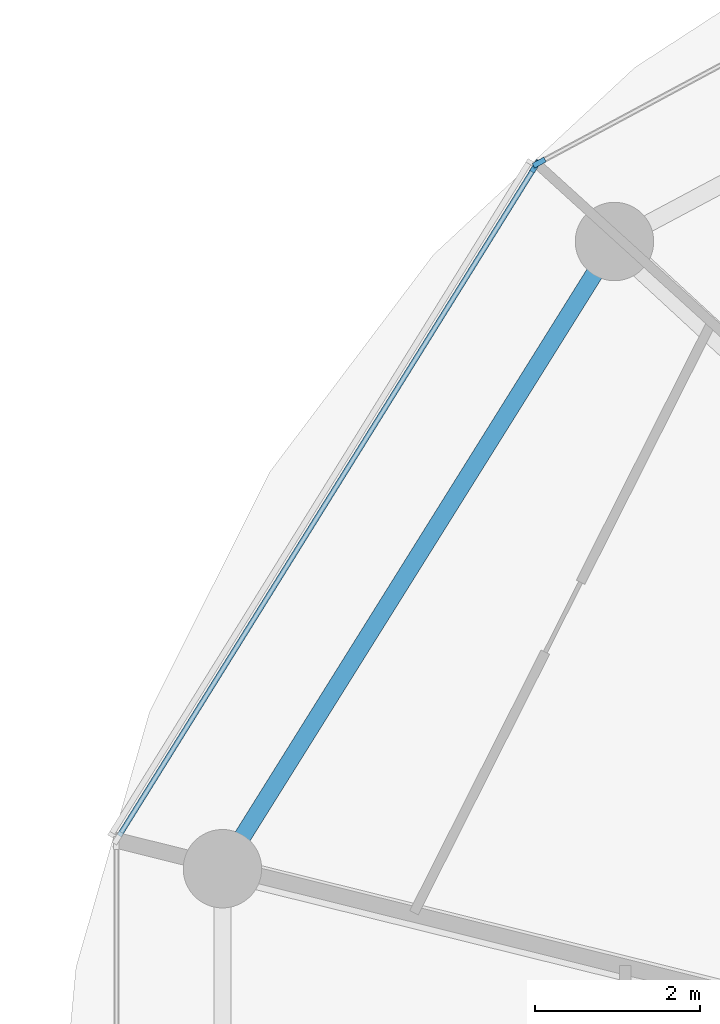
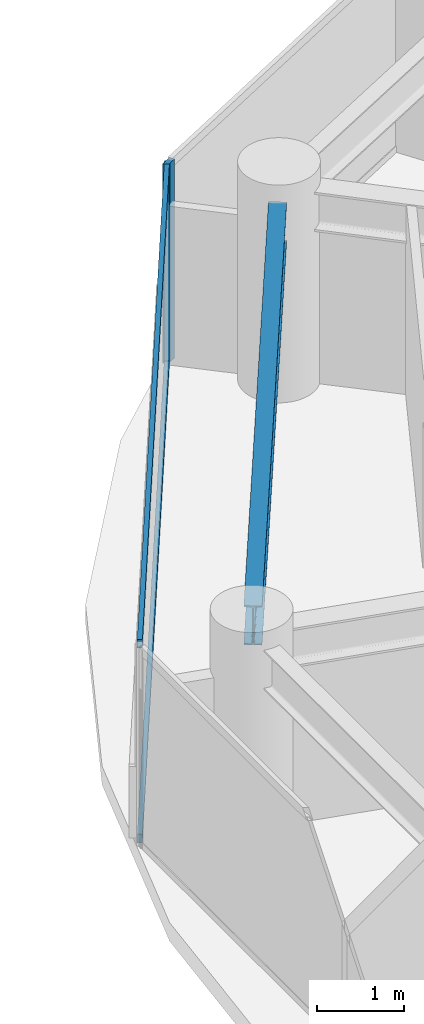
# One storey, part 8 of 26: 4 members, 1 beam, 2 elements without a shape of their own.
"""IFC4 building model written with IfcOpenShell, lengths in metres."""

from ifc_helpers import new_model, si_unit, direction, frame, origin, origin_2d, place, context, subcontext, project, spatial, rectangle, i_section, extrude, source, transform, mapped, material, layer, layer_set, material_profile, profile_set, type_object, type_shapes, element, aggregate, save


model = new_model("IFC4")

# Units and contexts
model_context = context("Model", 3, precision=1e-05, world=origin(), true_north=direction((0.0, 1.0)))
body_context = subcontext(model_context, "Body", "Model", "MODEL_VIEW")
ifc_project = project(units=[si_unit("LENGTHUNIT", "METRE"), si_unit("AREAUNIT", "SQUARE_METRE"), si_unit("VOLUMEUNIT", "CUBIC_METRE"), si_unit("PLANEANGLEUNIT", "RADIAN"), si_unit("MASSUNIT", "GRAM", prefix="KILO")], contexts=[model_context])

# Site, building, storey
site_placement = place(None, origin())
site = spatial("IfcSite", under=ifc_project, at=site_placement, CompositionType="ELEMENT")
building_placement = place(site_placement, origin())
building = spatial("IfcBuilding", under=site, at=building_placement, Name="Norrkilde Senior Care Towers", CompositionType="ELEMENT")
storey_placement = place(building_placement, frame((0.0, 0.0, 24.64990234375)))
storey = spatial("IfcBuildingStorey", under=building, at=storey_placement, Name="L06", CompositionType="ELEMENT", Elevation=24.64990234375)

# Beam
ifc_material_1 = material(Name="Steel S355", Category="steel")
ifc_material_profile_1 = material_profile(ifc_material_1, i_section(OverallWidth=0.2099609375, OverallDepth=0.550048828125, WebThickness=0.010986328125, FlangeThickness=0.01708984375, FilletRadius=0.02392578125, at=origin_2d()), Name="IPE 550")
ifc_profile_set_1 = profile_set([ifc_material_profile_1], Name="Steel S355")
beam_type = type_object("IfcBeamType", Name="Perimeter Ring Spandrel Z1 IPE550", PredefinedType="SPANDREL", material=ifc_profile_set_1)
shared_shape_1 = source(origin(), body_context, "Body", "SweptSolid", [
    extrude(i_section(OverallWidth=0.2099609375, OverallDepth=0.550048828125, WebThickness=0.010986328125, FlangeThickness=0.01708984375, FilletRadius=0.02392578125, at=origin_2d()), origin(), (0.0, 0.0, 1.0), 8.090576171875),
])
type_shapes(beam_type, [shared_shape_1])
beam_placement = place(storey_placement, frame((14.7939453125, 11.61669921875, 2.51513671875), z_axis=(-0.530004364821, -0.84799491347, 0.0), x_axis=(0.84799491347, -0.530004364821, 0.0)))
element("IfcBeam", 1, at=beam_placement, inside=storey, type_object=beam_type, Name="L06 Drum E Perimeter Spandrel 05", PredefinedType="SPANDREL", context=body_context, shape_type="MappedRepresentation", body=[
    mapped(shared_shape_1, transform((0.0, 0.0, 0.0), x_axis=(1.0, 0.0, 0.0), y_axis=(0.0, 1.0, 0.0), z_axis=(0.0, 0.0, 1.0), scale=1.0)),
])

# Curtain wall, member
ifc_material_2 = material(Name="Triple Low-E Insulated Glazing", Category="glass")
ifc_layer = layer(ifc_material_2, 0.199951171875)
ifc_layer_set = layer_set([ifc_layer], Name="Triple Low-E Insulated Glazing")
curtain_wall_type = type_object("IfcCurtainWallType", Name="CW2 Zone 1 Memory Care Curtain Wall", PredefinedType="NOTDEFINED", material=ifc_layer_set)
curtain_wall_1_placement = place(storey_placement, origin())
curtain_wall_1 = element("IfcCurtainWall", 2, at=curtain_wall_1_placement, inside=storey, type_object=curtain_wall_type, Name="L06 Drum E Curtain Wall 03", PredefinedType="NOTDEFINED")
ifc_material_3 = material(Name="Anodised Aluminium", Category="aluminium")
ifc_material_profile_2 = material_profile(ifc_material_3, rectangle(XDim=0.06494140625, YDim=0.159912109375, at=origin_2d()), Name="ALU MULL 65x160")
ifc_profile_set_2 = profile_set([ifc_material_profile_2], Name="Anodised Aluminium")
member_type_1 = type_object("IfcMemberType", Name="Curtain Wall Mullion Z1-Z2 65x160", PredefinedType="MULLION", material=ifc_profile_set_2)
shared_shape_2 = source(origin(), body_context, "Body", "SweptSolid", [
    extrude(rectangle(XDim=0.06494140625, YDim=0.159912109375, at=origin_2d()), origin(), (0.0, 0.0, 1.0), 2.7900390625),
])
type_shapes(member_type_1, [shared_shape_2])
member_1_placement = place(storey_placement, frame((14.11279296875, 12.941162109375, 0.0), z_axis=(0.0, 0.0, 1.0), x_axis=(-0.472607802456, 0.881272866403, 0.0)))
member_1 = element("IfcMember", 3, at=member_1_placement, type_object=member_type_1, Name="CW-2 mullion 1", PredefinedType="MULLION", context=body_context, shape_type="MappedRepresentation", body=[
    mapped(shared_shape_2, transform((0.0, 0.0, 0.0), x_axis=(1.0, 0.0, 0.0), y_axis=(0.0, 1.0, 0.0), z_axis=(0.0, 0.0, 1.0), scale=1.0)),
])
aggregate(curtain_wall_1, [member_1])

# Curtain wall, members
curtain_wall_2_placement = place(storey_placement, origin())
curtain_wall_2 = element("IfcCurtainWall", 4, at=curtain_wall_2_placement, inside=storey, type_object=curtain_wall_type, Name="L06 Drum E Curtain Wall 04", PredefinedType="NOTDEFINED")
member_2_placement = place(storey_placement, frame((14.06689453125, 12.898193359375, 0.0), z_axis=(0.0, 0.0, 1.0), x_axis=(-0.849305943117, 0.527900951871, 0.0)))
member_2 = element("IfcMember", 5, at=member_2_placement, type_object=member_type_1, Name="CW-2 mullion 2", PredefinedType="MULLION", context=body_context, shape_type="MappedRepresentation", body=[
    mapped(shared_shape_2, transform((0.0, 0.0, 0.0), x_axis=(1.0, 0.0, 0.0), y_axis=(0.0, 1.0, 0.0), z_axis=(0.0, 0.0, 1.0), scale=1.0)),
])
ifc_material_profile_3 = material_profile(ifc_material_3, rectangle(XDim=0.06005859375, YDim=0.1201171875, at=origin_2d()), Name="ALU TRAN 60x120")
ifc_profile_set_3 = profile_set([ifc_material_profile_3], Name="Anodised Aluminium")
member_type_2 = type_object("IfcMemberType", Name="Curtain Wall Transom Typical 60x120", PredefinedType="USERDEFINED", material=ifc_profile_set_3)
shared_shape_3 = source(origin(), body_context, "Body", "SweptSolid", [
    extrude(rectangle(XDim=0.06005859375, YDim=0.1201171875, at=origin_2d()), origin(), (0.0, 0.0, 1.0), 9.5185546875),
])
type_shapes(member_type_2, [shared_shape_3])
member_3_placement = place(storey_placement, frame((9.02490234375, 4.786376953125, 0.030029296875), z_axis=(0.527901620669, 0.849305527413, 0.0), x_axis=(-0.849305527413, 0.527901620669, 0.0)))
member_3 = element("IfcMember", 6, at=member_3_placement, type_object=member_type_2, Name="CW-2 transom 1.1", ObjectType="TRANSOM", PredefinedType="USERDEFINED", context=body_context, shape_type="MappedRepresentation", body=[
    mapped(shared_shape_3, transform((0.0, 0.0, 0.0), x_axis=(1.0, 0.0, 0.0), y_axis=(0.0, 1.0, 0.0), z_axis=(0.0, 0.0, 1.0), scale=1.0)),
])
member_4_placement = place(storey_placement, frame((9.02490234375, 4.786376953125, 2.760009765625), z_axis=(0.527901620669, 0.849305527413, 0.0), x_axis=(-0.849305527413, 0.527901620669, 0.0)))
member_4 = element("IfcMember", 7, at=member_4_placement, type_object=member_type_2, Name="CW-2 transom 1.2", ObjectType="TRANSOM", PredefinedType="USERDEFINED", context=body_context, shape_type="MappedRepresentation", body=[
    mapped(shared_shape_3, transform((0.0, 0.0, 0.0), x_axis=(1.0, 0.0, 0.0), y_axis=(0.0, 1.0, 0.0), z_axis=(0.0, 0.0, 1.0), scale=1.0)),
])
aggregate(curtain_wall_2, [member_2, member_3, member_4])

save(model, "model.ifc")
